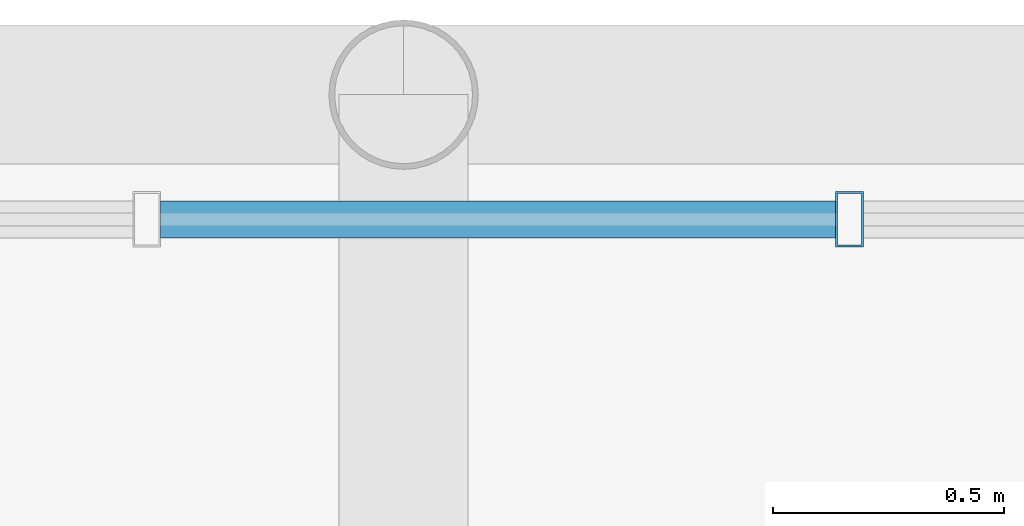
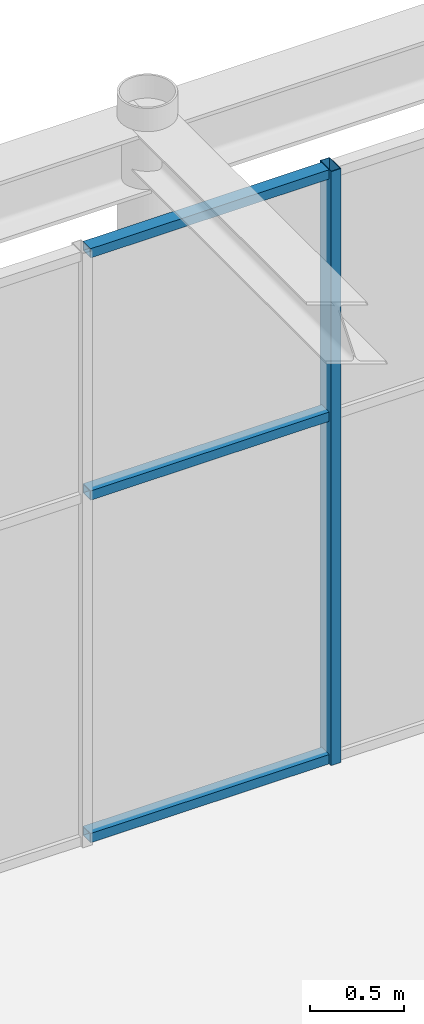
# One storey, part 41 of 70: 4 members, 1 element without a shape of its own.
"""IFC4 building model written with IfcOpenShell, lengths in metres."""

from ifc_helpers import new_model, si_unit, direction, frame, origin, origin_2d, place, context, subcontext, project, spatial, hollow_rectangle, extrude, material, layer, layer_set, material_profile, profile_set, type_object, element, aggregate, save


model = new_model("IFC4")

# Units and contexts
model_context = context("Model", 3, precision=1e-05, world=origin(), true_north=direction((0.0, 1.0)))
body_context = subcontext(model_context, "Body", "Model", "MODEL_VIEW")
ifc_project = project(units=[si_unit("LENGTHUNIT", "METRE"), si_unit("AREAUNIT", "SQUARE_METRE"), si_unit("VOLUMEUNIT", "CUBIC_METRE"), si_unit("PLANEANGLEUNIT", "RADIAN"), si_unit("MASSUNIT", "GRAM", prefix="KILO")], contexts=[model_context])

# Site, building, storey
site_placement = place(None, origin())
site = spatial("IfcSite", under=ifc_project, at=site_placement, CompositionType="ELEMENT")
building_placement = place(site_placement, origin())
building = spatial("IfcBuilding", under=site, at=building_placement, Name="Kallimachos Central Library", CompositionType="ELEMENT")
storey_placement = place(building_placement, frame((0.0, 0.0, 18.89990234375)))
storey = spatial("IfcBuildingStorey", under=building, at=storey_placement, Name="L04", CompositionType="ELEMENT", Elevation=18.89990234375)

# Curtain wall, members
ifc_material_1 = material(Name="Anodised aluminium and laminated glass", Category="aluminium")
ifc_layer = layer(ifc_material_1, 0.159912109375)
ifc_layer_set = layer_set([ifc_layer], Name="Glass box curtain wall")
curtain_wall_type = type_object("IfcCurtainWallType", Name="Glass box curtain wall", PredefinedType="NOTDEFINED", material=ifc_layer_set)
curtain_wall_placement = place(storey_placement, origin())
curtain_wall = element("IfcCurtainWall", 1, at=curtain_wall_placement, inside=storey, type_object=curtain_wall_type, Name="Glass box curtain wall N L04", PredefinedType="NOTDEFINED")
ifc_material_2 = material(Name="Anodised aluminium", Category="aluminium")
ifc_material_profile_1 = material_profile(ifc_material_2, hollow_rectangle(XDim=0.06005859375, YDim=0.1201171875, WallThickness=0.00390625, at=origin_2d()), Name="ALU MULLION 60x120")
ifc_profile_set_1 = profile_set([ifc_material_profile_1], Name="Anodised aluminium")
member_type_1 = type_object("IfcMemberType", Name="Glass box mullion 60x120", PredefinedType="MULLION", material=ifc_profile_set_1)
member_1_placement = place(storey_placement, frame((102.46630859375, 121.3798828125, 0.0), z_axis=(0.0, 0.0, 1.0), x_axis=(1.0, 0.0, 0.0)))
member_1 = element("IfcMember", 2, at=member_1_placement, type_object=member_type_1, Name="CW34 mullion 25", PredefinedType="MULLION", context=body_context, shape_type="SweptSolid", body=[
    extrude(hollow_rectangle(XDim=0.06005859375, YDim=0.1201171875, WallThickness=0.00390625, at=origin_2d()), origin(), (0.0, 0.0, 1.0), 3.85009765625),
])
ifc_material_3 = material(Name="Anodised aluminium", Category="aluminium")
ifc_material_profile_2 = material_profile(ifc_material_3, hollow_rectangle(XDim=0.06005859375, YDim=0.080078125, WallThickness=0.00390625, at=origin_2d()), Name="ALU TRANSOM 60x80")
ifc_profile_set_2 = profile_set([ifc_material_profile_2], Name="Anodised aluminium")
member_type_2 = type_object("IfcMemberType", Name="Glass box transom 60x80", PredefinedType="USERDEFINED", material=ifc_profile_set_2)
member_2_placement = place(storey_placement, frame((100.973388671875, 121.3798828125, 0.030029296875), z_axis=(1.0, 0.0, 0.0), x_axis=(0.0, 0.0, 1.0)))
member_2 = element("IfcMember", 3, at=member_2_placement, type_object=member_type_2, Name="CW34 transom 24.1", ObjectType="TRANSOM", PredefinedType="USERDEFINED", context=body_context, shape_type="SweptSolid", body=[
    extrude(hollow_rectangle(XDim=0.06005859375, YDim=0.080078125, WallThickness=0.00390625, at=origin_2d()), origin(), (0.0, 0.0, 1.0), 1.462890625),
])
member_3_placement = place(storey_placement, frame((100.973388671875, 121.3798828125, 2.25), z_axis=(1.0, 0.0, 0.0), x_axis=(0.0, 0.0, 1.0)))
member_3 = element("IfcMember", 4, at=member_3_placement, type_object=member_type_2, Name="CW34 transom 24.2", ObjectType="TRANSOM", PredefinedType="USERDEFINED", context=body_context, shape_type="SweptSolid", body=[
    extrude(hollow_rectangle(XDim=0.06005859375, YDim=0.080078125, WallThickness=0.00390625, at=origin_2d()), origin(), (0.0, 0.0, 1.0), 1.462890625),
])
member_4_placement = place(storey_placement, frame((100.973388671875, 121.3798828125, 3.820068359375), z_axis=(1.0, 0.0, 0.0), x_axis=(0.0, 0.0, 1.0)))
member_4 = element("IfcMember", 5, at=member_4_placement, type_object=member_type_2, Name="CW34 transom 24.3", ObjectType="TRANSOM", PredefinedType="USERDEFINED", context=body_context, shape_type="SweptSolid", body=[
    extrude(hollow_rectangle(XDim=0.06005859375, YDim=0.080078125, WallThickness=0.00390625, at=origin_2d()), origin(), (0.0, 0.0, 1.0), 1.462890625),
])
aggregate(curtain_wall, [member_1, member_2, member_3, member_4])

save(model, "model.ifc")
